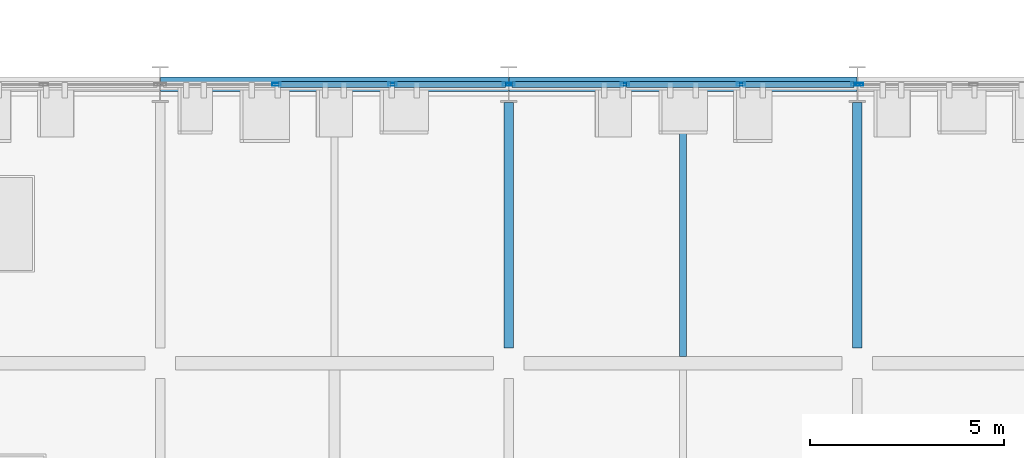
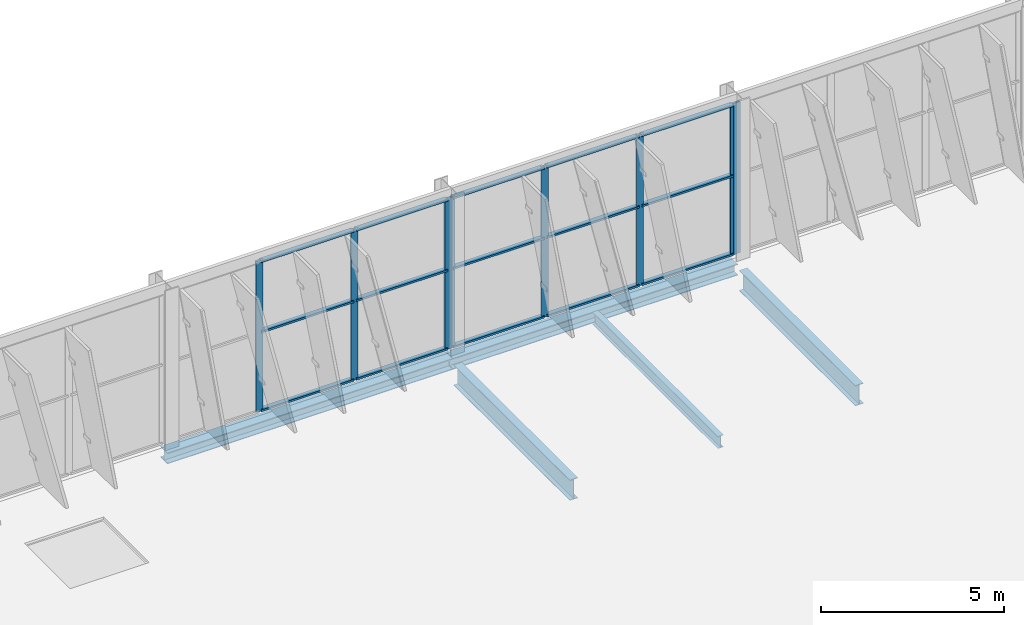
# One storey, part 21 of 189: 23 members, 5 beams, 3 elements without a shape of their own.
"""IFC4 building model written with IfcOpenShell, lengths in metres."""

import ifcopenshell
import ifcopenshell.guid

model = None  # the IFC model being written
_history = None  # IfcOwnerHistory: only IFC2X3 demands one
_inside = {}  # id of a spatial element -> (the spatial element, [elements in it])
_under = {}  # id of a project, library or spatial element -> (it, [spatial elements below it])
_declared = {}  # id of a project -> (the project, [libraries it declares])
_typed = {}  # id of a type object -> (the type object, [elements of that type])
_made_of = {}  # id of a material, layer set ... -> (it, [elements and type objects made of it])


def new_model(schema):
    """Start an empty IFC model of exactly this schema.

    Asked for "IFC4X3", IfcOpenShell would pick the latest addendum, in which some entities
    have other attributes; the version numbers below select the first issue.
    IFC2X3 requires an IfcOwnerHistory on every rooted entity: one is made here for all.
    """
    global model, _history
    if schema == "IFC4X3":
        model = ifcopenshell.file(schema_version=(4, 3, 0, 0))
    else:
        model = ifcopenshell.file(schema=schema)
    _inside.clear()
    _under.clear()
    _declared.clear()
    _typed.clear()
    _made_of.clear()
    _history = None
    if model.schema == "IFC2X3":
        org = make("IfcOrganization", Name="unknown")
        user = make(
            "IfcPersonAndOrganization",
            ThePerson=make("IfcPerson", FamilyName="unknown"),
            TheOrganization=org,
        )
        app = make(
            "IfcApplication",
            ApplicationDeveloper=org,
            Version="unknown",
            ApplicationFullName="unknown",
            ApplicationIdentifier="unknown",
        )
        _history = make(
            "IfcOwnerHistory",
            OwningUser=user,
            OwningApplication=app,
            ChangeAction="ADDED",
            CreationDate=0,
        )
    return model


def make(cls, **values):
    """One entity of the class cls with the attributes given. An attribute that is None is left unset."""
    return model.create_entity(
        cls, **{name: value for name, value in values.items() if value is not None}
    )


def rooted(cls, **values):
    """An entity with a GlobalId (a new one), such as an element, a storey or a relation."""
    return make(cls, GlobalId=ifcopenshell.guid.new(), OwnerHistory=_history, **values)


def si_unit(unit_type, name, prefix=None):
    """IfcSIUnit, for example si_unit("LENGTHUNIT", "METRE", prefix="MILLI")."""
    return make("IfcSIUnit", UnitType=unit_type, Prefix=prefix, Name=name)


def assignment(units):
    """IfcUnitAssignment: the units of a project."""
    return None if units is None else make("IfcUnitAssignment", Units=units)


def point(xyz):
    """IfcCartesianPoint."""
    return None if xyz is None else make("IfcCartesianPoint", Coordinates=xyz)


def direction(xyz):
    """IfcDirection."""
    return None if xyz is None else make("IfcDirection", DirectionRatios=xyz)


def frame(location, z_axis=None, x_axis=None):
    """IfcAxis2Placement3D, a coordinate frame: its origin and axes. An axis left out is left unset."""
    return make(
        "IfcAxis2Placement3D",
        Location=point(location),
        Axis=direction(z_axis),
        RefDirection=direction(x_axis),
    )


def frame_2d(location, x_axis=None):
    """IfcAxis2Placement2D, a coordinate frame in the plane: its origin and x axis."""
    return make(
        "IfcAxis2Placement2D", Location=point(location), RefDirection=direction(x_axis)
    )


def origin():
    """The frame at (0, 0, 0) with its axes left unset."""
    return frame((0.0, 0.0, 0.0))


def origin_2d():
    """The frame at (0, 0) in the plane with its x axis left unset."""
    return frame_2d((0.0, 0.0))


def place(relative_to, where):
    """IfcLocalPlacement: puts the frame where relative to a parent placement (None: the world)."""
    return make(
        "IfcLocalPlacement", PlacementRelTo=relative_to, RelativePlacement=where
    )


def context(
    kind, dimensions, precision=None, world=None, true_north=None, identifier=None
):
    """IfcGeometricRepresentationContext, for example the 3D "Model" context."""
    return make(
        "IfcGeometricRepresentationContext",
        ContextIdentifier=identifier,
        ContextType=kind,
        CoordinateSpaceDimension=dimensions,
        Precision=precision,
        WorldCoordinateSystem=world,
        TrueNorth=true_north,
    )


def subcontext(parent, identifier, kind, view, scale=None):
    """IfcGeometricRepresentationSubContext, for example "Body" below "Model"."""
    return make(
        "IfcGeometricRepresentationSubContext",
        ContextIdentifier=identifier,
        ContextType=kind,
        ParentContext=parent,
        TargetScale=scale,
        TargetView=view,
    )


def project(units=None, contexts=None):
    """IfcProject with its units and contexts."""
    return rooted(
        "IfcProject",
        Name="project",
        RepresentationContexts=contexts,
        UnitsInContext=assignment(units),
    )


def spatial(cls, under=None, at=None, **own):
    """A site, building, storey or space (cls), placed at a placement, below another one or the project."""
    s = rooted(cls, ObjectPlacement=at, **own)
    if under is not None:
        _under.setdefault(under.id(), (under, []))[1].append(s)
    return s


def profile(cls, at=None, kind="AREA", **sizes):
    """A parametric profile (cls). Its sizes go by their IFC names, for example OverallWidth=200.0."""
    return make(cls, ProfileType=kind, Position=at, **sizes)


def hollow_rectangle(**sizes):
    """IfcRectangleHollowProfileDef."""
    return profile("IfcRectangleHollowProfileDef", **sizes)


def i_section(**sizes):
    """IfcIShapeProfileDef."""
    return profile("IfcIShapeProfileDef", **sizes)


def extrude(swept, where, along, depth):
    """IfcExtrudedAreaSolid: the profile swept, set in the frame where, extruded along a direction by depth."""
    return make(
        "IfcExtrudedAreaSolid",
        SweptArea=swept,
        Position=where,
        ExtrudedDirection=direction(along),
        Depth=depth,
    )


def shape(context_of_items, identifier, shape_type, items):
    """IfcShapeRepresentation: the items that make up one representation, for example the "Body"."""
    return make(
        "IfcShapeRepresentation",
        ContextOfItems=context_of_items,
        RepresentationIdentifier=identifier,
        RepresentationType=shape_type,
        Items=items,
    )


def material(Name=None, Category=None):
    """IfcMaterial."""
    return make("IfcMaterial", Name=Name, Category=Category)


def layer(
    of_material, thickness, ventilated=None, Name=None, Category=None, Priority=None
):
    """IfcMaterialLayer: one layer of a wall or slab, of a material (None: an air gap)."""
    return make(
        "IfcMaterialLayer",
        Material=of_material,
        LayerThickness=thickness,
        IsVentilated=ventilated,
        Name=Name,
        Category=Category,
        Priority=Priority,
    )


def layer_set(layers, Name=None):
    """IfcMaterialLayerSet."""
    return make("IfcMaterialLayerSet", MaterialLayers=layers, LayerSetName=Name)


def material_profile(
    of_material, cross_section, Name=None, Category=None, Priority=None
):
    """IfcMaterialProfile: a cross section and its material."""
    return make(
        "IfcMaterialProfile",
        Name=Name,
        Material=of_material,
        Profile=cross_section,
        Priority=Priority,
        Category=Category,
    )


def profile_set(profiles, Name=None, composite=None):
    """IfcMaterialProfileSet."""
    return make(
        "IfcMaterialProfileSet",
        Name=Name,
        MaterialProfiles=profiles,
        CompositeProfile=composite,
    )


def made_of(thing, what):
    """Note that an element or type object is made of a material, layer set ...; save() writes the relation."""
    if what is not None:
        _made_of.setdefault(what.id(), (what, []))[1].append(thing)
    return thing


def type_object(cls, material=None, **own):
    """A type object (cls), such as IfcWallType, which elements share."""
    return made_of(rooted(cls, **own), material)


def element(
    cls,
    number,
    at=None,
    inside=None,
    cuts=None,
    type_object=None,
    material=None,
    context=None,
    identifier="Body",
    shape_type=None,
    held_by="IfcProductDefinitionShape",
    body=None,
    shapes=None,
    **own,
):
    """One element of the class cls, such as IfcWall. Its Tag is "e" and its number.

    at: its placement. inside: the storey or other place that contains it. cuts: it is an
    opening in that element (IfcRelVoidsElement). A single representation is given by context,
    identifier, shape_type and body (its items); several are given by shapes. held_by: the class
    of the entity that holds the representations. save() writes the other relations.
    """
    e = rooted(cls, Tag="e%d" % number, ObjectPlacement=at, **own)
    if body is not None:
        shapes = [shape(context, identifier, shape_type, body)]
    if shapes is not None:
        e.Representation = make(held_by, Representations=shapes)
    if inside is not None:
        _inside.setdefault(inside.id(), (inside, []))[1].append(e)
    if cuts is not None:
        rooted(
            "IfcRelVoidsElement", RelatingBuildingElement=cuts, RelatedOpeningElement=e
        )
    if type_object is not None:
        _typed.setdefault(type_object.id(), (type_object, []))[1].append(e)
    return made_of(e, material)


def aggregate(whole, parts):
    """IfcRelAggregates: a whole, such as a stair, and the parts it consists of."""
    return rooted("IfcRelAggregates", RelatingObject=whole, RelatedObjects=parts)


def save(model, path):
    """Write the relations noted so far, then the file.

    IfcRelAggregates (storeys below a building ...), IfcRelContainedInSpatialStructure (elements
    in a storey), IfcRelDefinesByType, IfcRelAssociatesMaterial and IfcRelDeclares: one each for
    every whole, place, type object, material and project.
    """
    for whole, parts in _under.values():
        aggregate(whole, parts)
    for where, things in _inside.values():
        rooted(
            "IfcRelContainedInSpatialStructure",
            RelatedElements=things,
            RelatingStructure=where,
        )
    for kind, things in _typed.values():
        rooted("IfcRelDefinesByType", RelatedObjects=things, RelatingType=kind)
    for what, things in _made_of.values():
        rooted("IfcRelAssociatesMaterial", RelatedObjects=things, RelatingMaterial=what)
    for by, libraries in _declared.values():
        rooted("IfcRelDeclares", RelatingContext=by, RelatedDefinitions=libraries)
    model.write(path)


model = new_model("IFC4")

# Units and contexts
model_context = context("Model", 3, precision=1e-05, world=origin(), true_north=direction((0.0, 1.0)))
body_context = subcontext(model_context, "Body", "Model", "MODEL_VIEW")
ifc_project = project(units=[si_unit("LENGTHUNIT", "METRE"), si_unit("AREAUNIT", "SQUARE_METRE"), si_unit("VOLUMEUNIT", "CUBIC_METRE"), si_unit("PLANEANGLEUNIT", "RADIAN"), si_unit("MASSUNIT", "GRAM", prefix="KILO")], contexts=[model_context])

# Site, building, storey
site_placement = place(None, origin())
site = spatial("IfcSite", under=ifc_project, at=site_placement, CompositionType="ELEMENT")
building_placement = place(site_placement, origin())
building = spatial("IfcBuilding", under=site, at=building_placement, Name="Celestram Park Convention Centre", CompositionType="ELEMENT")
storey_placement = place(building_placement, frame((0.0, 0.0, 5.39990234375)))
storey = spatial("IfcBuildingStorey", under=building, at=storey_placement, Name="L01", CompositionType="ELEMENT", Elevation=5.39990234375)

# Curtain wall, member
ifc_material_1 = material(Name="Anodised Aluminium Alloy 6063-T6", Category="aluminium")
ifc_layer = layer(ifc_material_1, 0.179931640625)
ifc_layer_set = layer_set([ifc_layer], Name="Anodised Aluminium Alloy 6063-T6")
curtain_wall_type = type_object("IfcCurtainWallType", Name="ARC-CW-898X503", PredefinedType="NOTDEFINED", material=ifc_layer_set)
curtain_wall_1_placement = place(storey_placement, origin())
curtain_wall_1 = element("IfcCurtainWall", 1, at=curtain_wall_1_placement, inside=storey, type_object=curtain_wall_type, Name="Unitised curtain wall CU-L01-133", PredefinedType="NOTDEFINED")
ifc_material_profile_1 = material_profile(ifc_material_1, hollow_rectangle(XDim=0.074951171875, YDim=0.219970703125, WallThickness=0.00390625, at=origin_2d()), Name="ALU75X220X4")
ifc_profile_set_1 = profile_set([ifc_material_profile_1], Name="Anodised Aluminium Alloy 6063-T6")
member_type_1 = type_object("IfcMemberType", Name="ARC-CWM-180", PredefinedType="MULLION", material=ifc_profile_set_1)
member_1_placement = place(storey_placement, frame((63.047607421875, 21.60009765625, 0.0), z_axis=(0.0, 0.0, 1.0), x_axis=(0.0, -1.0, 0.0)))
member_1 = element("IfcMember", 2, at=member_1_placement, type_object=member_type_1, Name="CW-89X50 mullion 4", PredefinedType="MULLION", context=body_context, shape_type="SweptSolid", body=[
    extrude(hollow_rectangle(XDim=0.074951171875, YDim=0.219970703125, WallThickness=0.00390625, at=origin_2d()), origin(), (0.0, 0.0, 1.0), 5.027099609375),
])
aggregate(curtain_wall_1, [member_1])

# Curtain wall, members
curtain_wall_2_placement = place(storey_placement, origin())
curtain_wall_2 = element("IfcCurtainWall", 3, at=curtain_wall_2_placement, inside=storey, type_object=curtain_wall_type, Name="Unitised curtain wall CU-L01-134", PredefinedType="NOTDEFINED")
member_2_placement = place(storey_placement, frame((62.952392578125, 21.60009765625, 0.0), z_axis=(0.0, 0.0, 1.0), x_axis=(0.0, -1.0, 0.0)))
member_2 = element("IfcMember", 4, at=member_2_placement, type_object=member_type_1, Name="CW-89X50 mullion 1", PredefinedType="MULLION", context=body_context, shape_type="SweptSolid", body=[
    extrude(hollow_rectangle(XDim=0.074951171875, YDim=0.219970703125, WallThickness=0.00390625, at=origin_2d()), origin(), (0.0, 0.0, 1.0), 5.027099609375),
])
member_3_placement = place(storey_placement, frame((59.99658203125, 21.60009765625, 0.0), z_axis=(0.0, 0.0, 1.0), x_axis=(0.0, -1.0, 0.0)))
member_3 = element("IfcMember", 5, at=member_3_placement, type_object=member_type_1, Name="CW-89X50 mullion 2", PredefinedType="MULLION", context=body_context, shape_type="SweptSolid", body=[
    extrude(hollow_rectangle(XDim=0.074951171875, YDim=0.219970703125, WallThickness=0.00390625, at=origin_2d()), origin(), (0.0, 0.0, 1.0), 5.027099609375),
])
member_4_placement = place(storey_placement, frame((57.00341796875, 21.60009765625, 0.0), z_axis=(0.0, 0.0, 1.0), x_axis=(0.0, -1.0, 0.0)))
member_4 = element("IfcMember", 6, at=member_4_placement, type_object=member_type_1, Name="CW-89X50 mullion 3", PredefinedType="MULLION", context=body_context, shape_type="SweptSolid", body=[
    extrude(hollow_rectangle(XDim=0.074951171875, YDim=0.219970703125, WallThickness=0.00390625, at=origin_2d()), origin(), (0.0, 0.0, 1.0), 5.027099609375),
])
member_5_placement = place(storey_placement, frame((54.047607421875, 21.60009765625, 0.0), z_axis=(0.0, 0.0, 1.0), x_axis=(0.0, -1.0, 0.0)))
member_5 = element("IfcMember", 7, at=member_5_placement, type_object=member_type_1, Name="CW-89X50 mullion 4", PredefinedType="MULLION", context=body_context, shape_type="SweptSolid", body=[
    extrude(hollow_rectangle(XDim=0.074951171875, YDim=0.219970703125, WallThickness=0.00390625, at=origin_2d()), origin(), (0.0, 0.0, 1.0), 5.027099609375),
])

curtain_wall_3_placement = place(storey_placement, origin())
curtain_wall_3 = element("IfcCurtainWall", 8, at=curtain_wall_3_placement, inside=storey, type_object=curtain_wall_type, Name="Unitised curtain wall CU-L01-135", PredefinedType="NOTDEFINED")
member_6_placement = place(storey_placement, frame((53.952392578125, 21.60009765625, 0.0), z_axis=(0.0, 0.0, 1.0), x_axis=(0.0, -1.0, 0.0)))
member_6 = element("IfcMember", 9, at=member_6_placement, type_object=member_type_1, Name="CW-89X50 mullion 1", PredefinedType="MULLION", context=body_context, shape_type="SweptSolid", body=[
    extrude(hollow_rectangle(XDim=0.074951171875, YDim=0.219970703125, WallThickness=0.00390625, at=origin_2d()), origin(), (0.0, 0.0, 1.0), 5.027099609375),
])
member_7_placement = place(storey_placement, frame((50.99658203125, 21.60009765625, 0.0), z_axis=(0.0, 0.0, 1.0), x_axis=(0.0, -1.0, 0.0)))
member_7 = element("IfcMember", 10, at=member_7_placement, type_object=member_type_1, Name="CW-89X50 mullion 2", PredefinedType="MULLION", context=body_context, shape_type="SweptSolid", body=[
    extrude(hollow_rectangle(XDim=0.074951171875, YDim=0.219970703125, WallThickness=0.00390625, at=origin_2d()), origin(), (0.0, 0.0, 1.0), 5.027099609375),
])
member_8_placement = place(storey_placement, frame((48.00341796875, 21.60009765625, 0.0), z_axis=(0.0, 0.0, 1.0), x_axis=(0.0, -1.0, 0.0)))
member_8 = element("IfcMember", 11, at=member_8_placement, type_object=member_type_1, Name="CW-89X50 mullion 3", PredefinedType="MULLION", context=body_context, shape_type="SweptSolid", body=[
    extrude(hollow_rectangle(XDim=0.074951171875, YDim=0.219970703125, WallThickness=0.00390625, at=origin_2d()), origin(), (0.0, 0.0, 1.0), 5.027099609375),
])

# Member
ifc_material_profile_2 = material_profile(ifc_material_1, hollow_rectangle(XDim=0.14990234375, YDim=0.06494140625, WallThickness=0.0029296875, at=origin_2d()), Name="ALU150X65X3")
ifc_profile_set_2 = profile_set([ifc_material_profile_2], Name="Anodised Aluminium Alloy 6063-T6")
member_type_2 = type_object("IfcMemberType", Name="ARC-CWT-150", PredefinedType="USERDEFINED", material=ifc_profile_set_2)
member_9_placement = place(storey_placement, frame((62.9150390625, 21.60009765625, 0.03271484375), z_axis=(-1.0, 0.0, 0.0), x_axis=(0.0, -1.0, 0.0)))
member_9 = element("IfcMember", 12, at=member_9_placement, type_object=member_type_2, Name="CW-89X50 transom 1.1", ObjectType="TRANSOM", PredefinedType="USERDEFINED", context=body_context, shape_type="SweptSolid", body=[
    extrude(hollow_rectangle(XDim=0.14990234375, YDim=0.06494140625, WallThickness=0.0029296875, at=origin_2d()), origin(), (0.0, 0.0, 1.0), 2.880859375),
])

member_10_placement = place(storey_placement, frame((62.9150390625, 21.60009765625, 2.650146484375), z_axis=(-1.0, 0.0, 0.0), x_axis=(0.0, -1.0, 0.0)))
member_10 = element("IfcMember", 13, at=member_10_placement, type_object=member_type_2, Name="CW-89X50 transom 1.2", ObjectType="TRANSOM", PredefinedType="USERDEFINED", context=body_context, shape_type="SweptSolid", body=[
    extrude(hollow_rectangle(XDim=0.14990234375, YDim=0.06494140625, WallThickness=0.0029296875, at=origin_2d()), origin(), (0.0, 0.0, 1.0), 2.880859375),
])

member_11_placement = place(storey_placement, frame((62.9150390625, 21.60009765625, 4.99462890625), z_axis=(-1.0, 0.0, 0.0), x_axis=(0.0, -1.0, 0.0)))
member_11 = element("IfcMember", 14, at=member_11_placement, type_object=member_type_2, Name="CW-89X50 transom 1.3", ObjectType="TRANSOM", PredefinedType="USERDEFINED", context=body_context, shape_type="SweptSolid", body=[
    extrude(hollow_rectangle(XDim=0.14990234375, YDim=0.06494140625, WallThickness=0.0029296875, at=origin_2d()), origin(), (0.0, 0.0, 1.0), 2.880859375),
])

member_12_placement = place(storey_placement, frame((59.959228515625, 21.60009765625, 0.03271484375), z_axis=(-1.0, 0.0, 0.0), x_axis=(0.0, -1.0, 0.0)))
member_12 = element("IfcMember", 15, at=member_12_placement, type_object=member_type_2, Name="CW-89X50 transom 2.1", ObjectType="TRANSOM", PredefinedType="USERDEFINED", context=body_context, shape_type="SweptSolid", body=[
    extrude(hollow_rectangle(XDim=0.14990234375, YDim=0.06494140625, WallThickness=0.0029296875, at=origin_2d()), origin(), (0.0, 0.0, 1.0), 2.91845703125),
])

member_13_placement = place(storey_placement, frame((59.959228515625, 21.60009765625, 2.650146484375), z_axis=(-1.0, 0.0, 0.0), x_axis=(0.0, -1.0, 0.0)))
member_13 = element("IfcMember", 16, at=member_13_placement, type_object=member_type_2, Name="CW-89X50 transom 2.2", ObjectType="TRANSOM", PredefinedType="USERDEFINED", context=body_context, shape_type="SweptSolid", body=[
    extrude(hollow_rectangle(XDim=0.14990234375, YDim=0.06494140625, WallThickness=0.0029296875, at=origin_2d()), origin(), (0.0, 0.0, 1.0), 2.91845703125),
])

member_14_placement = place(storey_placement, frame((59.959228515625, 21.60009765625, 4.99462890625), z_axis=(-1.0, 0.0, 0.0), x_axis=(0.0, -1.0, 0.0)))
member_14 = element("IfcMember", 17, at=member_14_placement, type_object=member_type_2, Name="CW-89X50 transom 2.3", ObjectType="TRANSOM", PredefinedType="USERDEFINED", context=body_context, shape_type="SweptSolid", body=[
    extrude(hollow_rectangle(XDim=0.14990234375, YDim=0.06494140625, WallThickness=0.0029296875, at=origin_2d()), origin(), (0.0, 0.0, 1.0), 2.91845703125),
])

member_15_placement = place(storey_placement, frame((56.9658203125, 21.60009765625, 0.03271484375), z_axis=(-1.0, 0.0, 0.0), x_axis=(0.0, -1.0, 0.0)))
member_15 = element("IfcMember", 18, at=member_15_placement, type_object=member_type_2, Name="CW-89X50 transom 3.1", ObjectType="TRANSOM", PredefinedType="USERDEFINED", context=body_context, shape_type="SweptSolid", body=[
    extrude(hollow_rectangle(XDim=0.14990234375, YDim=0.06494140625, WallThickness=0.0029296875, at=origin_2d()), origin(), (0.0, 0.0, 1.0), 2.880859375),
])

member_16_placement = place(storey_placement, frame((56.9658203125, 21.60009765625, 2.650146484375), z_axis=(-1.0, 0.0, 0.0), x_axis=(0.0, -1.0, 0.0)))
member_16 = element("IfcMember", 19, at=member_16_placement, type_object=member_type_2, Name="CW-89X50 transom 3.2", ObjectType="TRANSOM", PredefinedType="USERDEFINED", context=body_context, shape_type="SweptSolid", body=[
    extrude(hollow_rectangle(XDim=0.14990234375, YDim=0.06494140625, WallThickness=0.0029296875, at=origin_2d()), origin(), (0.0, 0.0, 1.0), 2.880859375),
])

member_17_placement = place(storey_placement, frame((56.9658203125, 21.60009765625, 4.99462890625), z_axis=(-1.0, 0.0, 0.0), x_axis=(0.0, -1.0, 0.0)))
member_17 = element("IfcMember", 20, at=member_17_placement, type_object=member_type_2, Name="CW-89X50 transom 3.3", ObjectType="TRANSOM", PredefinedType="USERDEFINED", context=body_context, shape_type="SweptSolid", body=[
    extrude(hollow_rectangle(XDim=0.14990234375, YDim=0.06494140625, WallThickness=0.0029296875, at=origin_2d()), origin(), (0.0, 0.0, 1.0), 2.880859375),
])

aggregate(curtain_wall_2, [member_2, member_3, member_4, member_5, member_9, member_10, member_11, member_12, member_13, member_14, member_15, member_16, member_17])

member_18_placement = place(storey_placement, frame((53.9150390625, 21.60009765625, 0.03271484375), z_axis=(-1.0, 0.0, 0.0), x_axis=(0.0, -1.0, 0.0)))
member_18 = element("IfcMember", 21, at=member_18_placement, type_object=member_type_2, Name="CW-89X50 transom 1.1", ObjectType="TRANSOM", PredefinedType="USERDEFINED", context=body_context, shape_type="SweptSolid", body=[
    extrude(hollow_rectangle(XDim=0.14990234375, YDim=0.06494140625, WallThickness=0.0029296875, at=origin_2d()), origin(), (0.0, 0.0, 1.0), 2.880859375),
])

member_19_placement = place(storey_placement, frame((53.9150390625, 21.60009765625, 2.650146484375), z_axis=(-1.0, 0.0, 0.0), x_axis=(0.0, -1.0, 0.0)))
member_19 = element("IfcMember", 22, at=member_19_placement, type_object=member_type_2, Name="CW-89X50 transom 1.2", ObjectType="TRANSOM", PredefinedType="USERDEFINED", context=body_context, shape_type="SweptSolid", body=[
    extrude(hollow_rectangle(XDim=0.14990234375, YDim=0.06494140625, WallThickness=0.0029296875, at=origin_2d()), origin(), (0.0, 0.0, 1.0), 2.880859375),
])

member_20_placement = place(storey_placement, frame((53.9150390625, 21.60009765625, 4.99462890625), z_axis=(-1.0, 0.0, 0.0), x_axis=(0.0, -1.0, 0.0)))
member_20 = element("IfcMember", 23, at=member_20_placement, type_object=member_type_2, Name="CW-89X50 transom 1.3", ObjectType="TRANSOM", PredefinedType="USERDEFINED", context=body_context, shape_type="SweptSolid", body=[
    extrude(hollow_rectangle(XDim=0.14990234375, YDim=0.06494140625, WallThickness=0.0029296875, at=origin_2d()), origin(), (0.0, 0.0, 1.0), 2.880859375),
])

member_21_placement = place(storey_placement, frame((50.959228515625, 21.60009765625, 0.03271484375), z_axis=(-1.0, 0.0, 0.0), x_axis=(0.0, -1.0, 0.0)))
member_21 = element("IfcMember", 24, at=member_21_placement, type_object=member_type_2, Name="CW-89X50 transom 2.1", ObjectType="TRANSOM", PredefinedType="USERDEFINED", context=body_context, shape_type="SweptSolid", body=[
    extrude(hollow_rectangle(XDim=0.14990234375, YDim=0.06494140625, WallThickness=0.0029296875, at=origin_2d()), origin(), (0.0, 0.0, 1.0), 2.91845703125),
])

member_22_placement = place(storey_placement, frame((50.959228515625, 21.60009765625, 2.650146484375), z_axis=(-1.0, 0.0, 0.0), x_axis=(0.0, -1.0, 0.0)))
member_22 = element("IfcMember", 25, at=member_22_placement, type_object=member_type_2, Name="CW-89X50 transom 2.2", ObjectType="TRANSOM", PredefinedType="USERDEFINED", context=body_context, shape_type="SweptSolid", body=[
    extrude(hollow_rectangle(XDim=0.14990234375, YDim=0.06494140625, WallThickness=0.0029296875, at=origin_2d()), origin(), (0.0, 0.0, 1.0), 2.91845703125),
])

member_23_placement = place(storey_placement, frame((50.959228515625, 21.60009765625, 4.99462890625), z_axis=(-1.0, 0.0, 0.0), x_axis=(0.0, -1.0, 0.0)))
member_23 = element("IfcMember", 26, at=member_23_placement, type_object=member_type_2, Name="CW-89X50 transom 2.3", ObjectType="TRANSOM", PredefinedType="USERDEFINED", context=body_context, shape_type="SweptSolid", body=[
    extrude(hollow_rectangle(XDim=0.14990234375, YDim=0.06494140625, WallThickness=0.0029296875, at=origin_2d()), origin(), (0.0, 0.0, 1.0), 2.91845703125),
])

aggregate(curtain_wall_3, [member_6, member_7, member_8, member_18, member_19, member_20, member_21, member_22, member_23])

# Beams
ifc_material_2 = material(Name="Steel ASTM A992 Grade 50", Category="steel")
ifc_material_profile_3 = material_profile(ifc_material_2, i_section(OverallWidth=0.25390625, OverallDepth=0.68310546875, WebThickness=0.012451171875, FlangeThickness=0.01904296875, at=origin_2d()), Name="W27X94")
ifc_profile_set_3 = profile_set([ifc_material_profile_3], Name="Steel ASTM A992 Grade 50")
beam_type_1 = type_object("IfcBeamType", Name="STR-BM-W27X94", PredefinedType="BEAM", material=ifc_profile_set_3)
for number, where, z_axis, x_axis, name in (
    (27, (54.0, 14.798095703125, -0.581298828125), (0.0, 1.0, 0.0), (-1.0, 0.0, 0.0), "Primary Y-girder BG-L01-0085"),
    (28, (63.0, 14.798095703125, -0.581298828125), (0.0, 1.0, 0.0), (-1.0, 0.0, 0.0), "Primary Y-girder BG-L01-0106"),
):
    element("IfcBeam", number, at=place(storey_placement, frame(where, z_axis=z_axis, x_axis=x_axis)), inside=storey, type_object=beam_type_1, Name=name, PredefinedType="BEAM", context=body_context, shape_type="SweptSolid", body=[
        extrude(i_section(OverallWidth=0.25390625, OverallDepth=0.68310546875, WebThickness=0.012451171875, FlangeThickness=0.01904296875, at=origin_2d()), origin(), (0.0, 0.0, 1.0), 6.337890625),
    ])
ifc_material_profile_4 = material_profile(ifc_material_2, i_section(OverallWidth=0.177978515625, OverallDepth=0.406005859375, WebThickness=0.0078125, FlangeThickness=0.0126953125, at=origin_2d()), Name="W16X40")
ifc_profile_set_4 = profile_set([ifc_material_profile_4], Name="Steel ASTM A992 Grade 50")
beam_type_2 = type_object("IfcBeamType", Name="STR-JST-W16X40", PredefinedType="JOIST", material=ifc_profile_set_4)
beam_placement = place(storey_placement, frame((58.5, 14.573974609375, -0.44287109375), z_axis=(0.0, 1.0, 0.0), x_axis=(-1.0, 0.0, 0.0)))
element("IfcBeam", 29, at=beam_placement, inside=storey, type_object=beam_type_2, Name="Secondary composite joist BG-L01-0575", PredefinedType="JOIST", context=body_context, shape_type="SweptSolid", body=[
    extrude(i_section(OverallWidth=0.177978515625, OverallDepth=0.406005859375, WebThickness=0.0078125, FlangeThickness=0.0126953125, at=origin_2d()), origin(), (0.0, 0.0, 1.0), 6.843994140625),
])
ifc_material_profile_5 = material_profile(ifc_material_2, i_section(OverallWidth=0.373046875, OverallDepth=0.373046875, WebThickness=0.016357421875, FlangeThickness=0.026123046875, at=origin_2d()), Name="W14X132")
ifc_profile_set_5 = profile_set([ifc_material_profile_5], Name="Steel ASTM A992 Grade 50")
beam_type_3 = type_object("IfcBeamType", Name="STR-SPN-W14X132", PredefinedType="SPANDREL", material=ifc_profile_set_5)
for number, where, z_axis, x_axis, name in (
    (30, (45.010009765625, 21.60009765625, -0.426513671875), (1.0, 0.0, 0.0), (0.0, 1.0, 0.0), "Primary X-girder BG-L01-0063"),
    (31, (54.010009765625, 21.60009765625, -0.426513671875), (1.0, 0.0, 0.0), (0.0, 1.0, 0.0), "Primary X-girder BG-L01-0086"),
):
    element("IfcBeam", number, at=place(storey_placement, frame(where, z_axis=z_axis, x_axis=x_axis)), inside=storey, type_object=beam_type_3, Name=name, PredefinedType="SPANDREL", context=body_context, shape_type="SweptSolid", body=[
        extrude(i_section(OverallWidth=0.373046875, OverallDepth=0.373046875, WebThickness=0.016357421875, FlangeThickness=0.026123046875, at=origin_2d()), origin(), (0.0, 0.0, 1.0), 8.97998046875),
    ])

save(model, "model.ifc")
